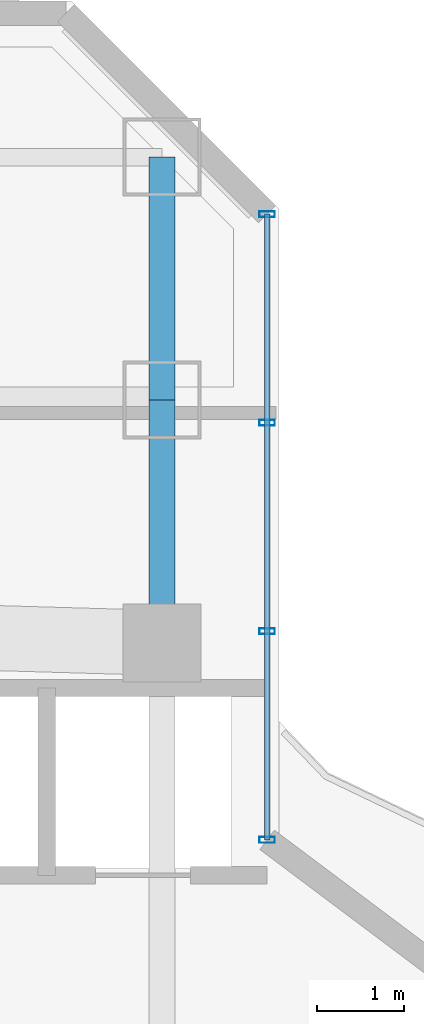
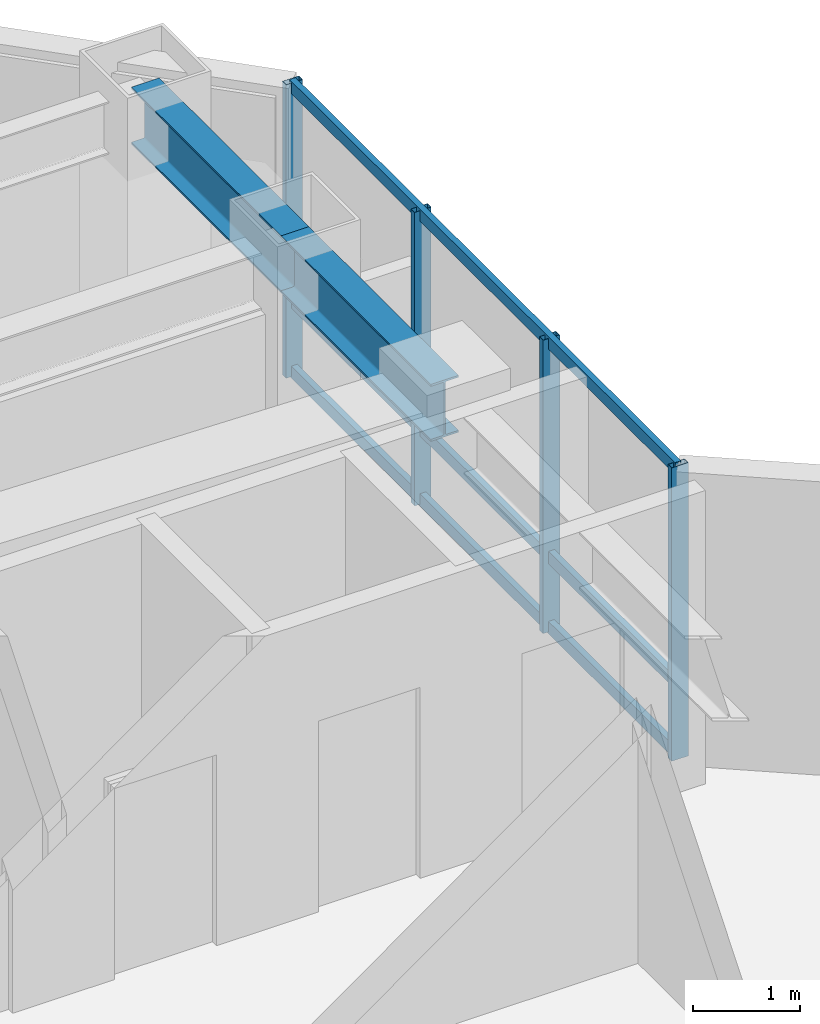
# One storey, part 19 of 29: 7 members, 2 beams, 1 element without a shape of its own.
"""IFC4 building model written with IfcOpenShell, lengths in metres."""

from ifc_helpers import new_model, si_unit, direction, frame, origin, origin_2d, place, context, subcontext, project, spatial, hollow_rectangle, i_section, extrude, material, layer, layer_set, material_profile, profile_set, type_object, element, aggregate, save


model = new_model("IFC4")

# Units and contexts
model_context = context("Model", 3, precision=1e-05, world=origin(), true_north=direction((0.0, 1.0)))
body_context = subcontext(model_context, "Body", "Model", "MODEL_VIEW")
ifc_project = project(units=[si_unit("LENGTHUNIT", "METRE"), si_unit("AREAUNIT", "SQUARE_METRE"), si_unit("VOLUMEUNIT", "CUBIC_METRE"), si_unit("PLANEANGLEUNIT", "RADIAN"), si_unit("MASSUNIT", "GRAM", prefix="KILO")], contexts=[model_context])

# Site, building, storey
site_placement = place(None, origin())
site = spatial("IfcSite", under=ifc_project, at=site_placement, CompositionType="ELEMENT")
building_placement = place(site_placement, origin())
building = spatial("IfcBuilding", under=site, at=building_placement, Name="Hatsunagi Terrace Concourse", CompositionType="ELEMENT")
storey_placement = place(building_placement, frame((0.0, 0.0, 115.64990234375)))
storey = spatial("IfcBuildingStorey", under=building, at=storey_placement, Name="L30", CompositionType="ELEMENT", Elevation=115.64990234375)

# Curtain wall, members
ifc_material_1 = material(Name="Anodised Aluminium Alloy 6063-T5", Category="aluminium")
ifc_layer = layer(ifc_material_1, 0.199951171875)
ifc_layer_set = layer_set([ifc_layer], Name="OfficeZone1_CW03")
curtain_wall_type = type_object("IfcCurtainWallType", Name="OfficeZone1_CW03", PredefinedType="NOTDEFINED", material=ifc_layer_set)
curtain_wall_placement = place(storey_placement, origin())
curtain_wall = element("IfcCurtainWall", 1, at=curtain_wall_placement, inside=storey, type_object=curtain_wall_type, Name="Unitised Curtain Wall CW-03 CW-L30-13", PredefinedType="NOTDEFINED")
ifc_material_2 = material(Name="Anodised Aluminium Alloy 6063-T5", Category="aluminium")
ifc_material_profile_1 = material_profile(ifc_material_2, hollow_rectangle(XDim=0.070068359375, YDim=0.179931640625, WallThickness=0.00390625, at=origin_2d()), Name="ALU-MUL-180x70x4")
ifc_profile_set_1 = profile_set([ifc_material_profile_1], Name="Anodised Aluminium Alloy 6063-T5")
member_type_1 = type_object("IfcMemberType", Name="CurtainWallMullion_180x70", PredefinedType="MULLION", material=ifc_profile_set_1)
member_1_placement = place(storey_placement, frame((44.860107421875, 47.94189453125, 0.0), z_axis=(0.0, 0.0, 1.0), x_axis=(0.0, -1.0, 0.0)))
member_1 = element("IfcMember", 2, at=member_1_placement, type_object=member_type_1, Name="Curtain Wall Mullion MUL-02", PredefinedType="MULLION", context=body_context, shape_type="SweptSolid", body=[
    extrude(hollow_rectangle(XDim=0.070068359375, YDim=0.179931640625, WallThickness=0.00390625, at=origin_2d()), origin(), (0.0, 0.0, 1.0), 3.35009765625),
])
member_2_placement = place(storey_placement, frame((44.860107421875, 45.5380859375, 0.0), z_axis=(0.0, 0.0, 1.0), x_axis=(0.0, -1.0, 0.0)))
member_2 = element("IfcMember", 3, at=member_2_placement, type_object=member_type_1, Name="Curtain Wall Mullion MUL-02", PredefinedType="MULLION", context=body_context, shape_type="SweptSolid", body=[
    extrude(hollow_rectangle(XDim=0.070068359375, YDim=0.179931640625, WallThickness=0.00390625, at=origin_2d()), origin(), (0.0, 0.0, 1.0), 3.35009765625),
])
member_3_placement = place(storey_placement, frame((44.860107421875, 43.134033203125, 0.0), z_axis=(0.0, 0.0, 1.0), x_axis=(0.0, -1.0, 0.0)))
member_3 = element("IfcMember", 4, at=member_3_placement, type_object=member_type_1, Name="Curtain Wall Mullion MUL-02", PredefinedType="MULLION", context=body_context, shape_type="SweptSolid", body=[
    extrude(hollow_rectangle(XDim=0.070068359375, YDim=0.179931640625, WallThickness=0.00390625, at=origin_2d()), origin(), (0.0, 0.0, 1.0), 3.35009765625),
])
member_4_placement = place(storey_placement, frame((44.860107421875, 40.72998046875, 0.0), z_axis=(0.0, 0.0, 1.0), x_axis=(0.0, -1.0, 0.0)))
member_4 = element("IfcMember", 5, at=member_4_placement, type_object=member_type_1, Name="Curtain Wall Mullion MUL-02", PredefinedType="MULLION", context=body_context, shape_type="SweptSolid", body=[
    extrude(hollow_rectangle(XDim=0.070068359375, YDim=0.179931640625, WallThickness=0.00390625, at=origin_2d()), origin(), (0.0, 0.0, 1.0), 3.35009765625),
])
ifc_material_3 = material(Name="Anodised Aluminium Alloy 6063-T5", Category="aluminium")
ifc_material_profile_2 = material_profile(ifc_material_3, hollow_rectangle(XDim=0.06494140625, YDim=0.139892578125, WallThickness=0.00390625, at=origin_2d()), Name="ALU-TRN-140x65x4")
ifc_profile_set_2 = profile_set([ifc_material_profile_2], Name="Anodised Aluminium Alloy 6063-T5")
member_type_2 = type_object("IfcMemberType", Name="CurtainWallTransom_140x65", PredefinedType="USERDEFINED", material=ifc_profile_set_2)
member_5_placement = place(storey_placement, frame((44.860107421875, 47.94189453125, 0.050048828125), z_axis=(0.0, -1.0, 0.0), x_axis=(1.0, 0.0, 0.0)))
member_5 = element("IfcMember", 6, at=member_5_placement, type_object=member_type_2, Name="Curtain Wall Transom TRN-02", ObjectType="TRANSOM", PredefinedType="USERDEFINED", context=body_context, shape_type="SweptSolid", body=[
    extrude(hollow_rectangle(XDim=0.06494140625, YDim=0.139892578125, WallThickness=0.00390625, at=origin_2d()), origin(), (0.0, 0.0, 1.0), 7.2119140625),
])
member_6_placement = place(storey_placement, frame((44.860107421875, 47.94189453125, 0.85009765625), z_axis=(0.0, -1.0, 0.0), x_axis=(1.0, 0.0, 0.0)))
member_6 = element("IfcMember", 7, at=member_6_placement, type_object=member_type_2, Name="Curtain Wall Transom TRN-02", ObjectType="TRANSOM", PredefinedType="USERDEFINED", context=body_context, shape_type="SweptSolid", body=[
    extrude(hollow_rectangle(XDim=0.06494140625, YDim=0.139892578125, WallThickness=0.00390625, at=origin_2d()), origin(), (0.0, 0.0, 1.0), 7.2119140625),
])
member_7_placement = place(storey_placement, frame((44.860107421875, 47.94189453125, 3.300048828125), z_axis=(0.0, -1.0, 0.0), x_axis=(1.0, 0.0, 0.0)))
member_7 = element("IfcMember", 8, at=member_7_placement, type_object=member_type_2, Name="Curtain Wall Transom TRN-02", ObjectType="TRANSOM", PredefinedType="USERDEFINED", context=body_context, shape_type="SweptSolid", body=[
    extrude(hollow_rectangle(XDim=0.06494140625, YDim=0.139892578125, WallThickness=0.00390625, at=origin_2d()), origin(), (0.0, 0.0, 1.0), 7.2119140625),
])
aggregate(curtain_wall, [member_1, member_2, member_3, member_4, member_5, member_6, member_7])

# Beams
ifc_material_4 = material(Name="Steel SN490B", Category="steel")
ifc_material_profile_3 = material_profile(ifc_material_4, i_section(OverallWidth=0.300048828125, OverallDepth=0.64990234375, WebThickness=0.012939453125, FlangeThickness=0.02197265625, FilletRadius=0.01806640625, at=origin_2d()), Name="H-650x300x13x22")
ifc_profile_set_3 = profile_set([ifc_material_profile_3], Name="Steel SN490B")
beam_type = type_object("IfcBeamType", Name="OfficeLowGirder_H_650x300", PredefinedType="BEAM", material=ifc_profile_set_3)
for number, where, z_axis, x_axis, name in (
    (9, (43.64990234375, 43.0, 3.025146484375), (0.0, 1.0, 0.0), (-1.0, 0.0, 0.0), "Beam G-05 BM-L30-CN3"),
    (10, (43.64990234375, 45.800048828125, 3.025146484375), (0.0, 1.0, 0.0), (-1.0, 0.0, 0.0), "Beam G-05 BM-L30-KN-WN6"),
):
    element("IfcBeam", number, at=place(storey_placement, frame(where, z_axis=z_axis, x_axis=x_axis)), inside=storey, type_object=beam_type, Name=name, PredefinedType="BEAM", context=body_context, shape_type="SweptSolid", body=[
        extrude(i_section(OverallWidth=0.300048828125, OverallDepth=0.64990234375, WebThickness=0.012939453125, FlangeThickness=0.02197265625, FilletRadius=0.01806640625, at=origin_2d()), origin(), (0.0, 0.0, 1.0), 2.800048828125),
    ])

save(model, "model.ifc")
